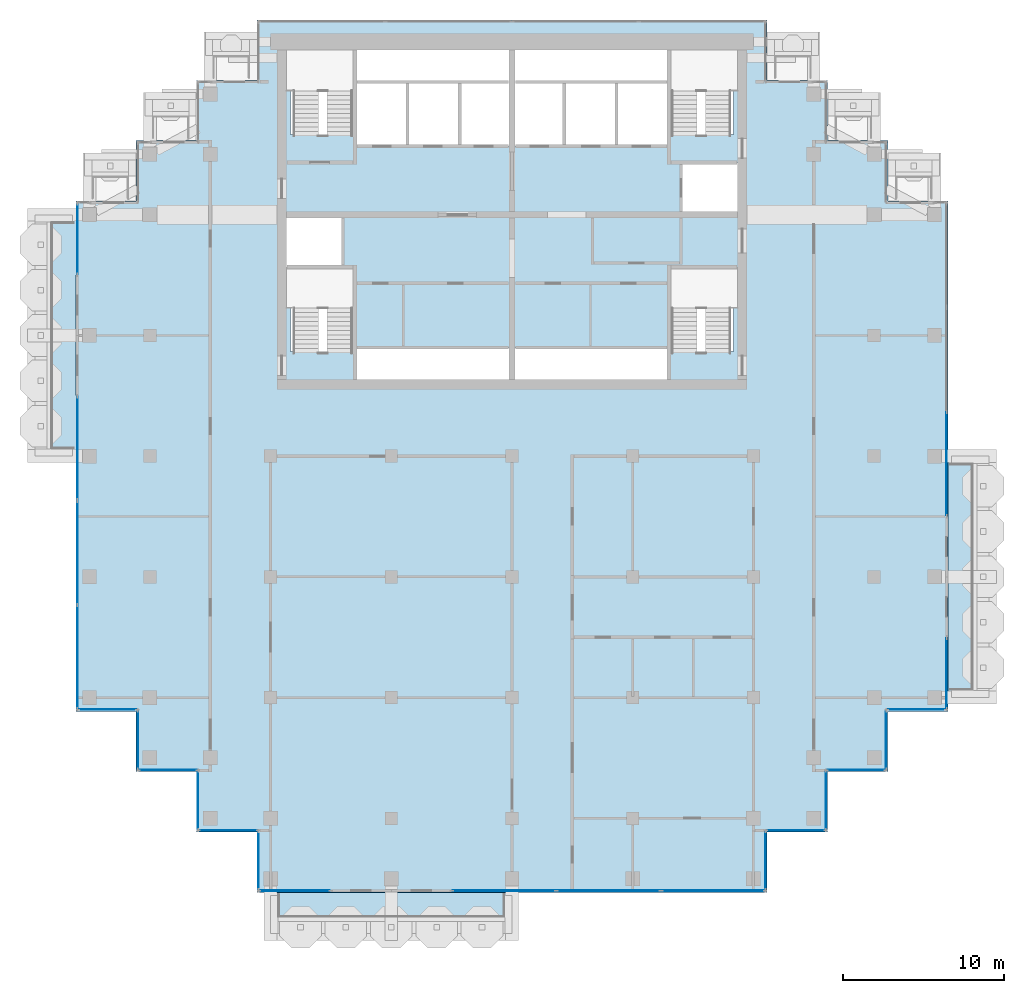
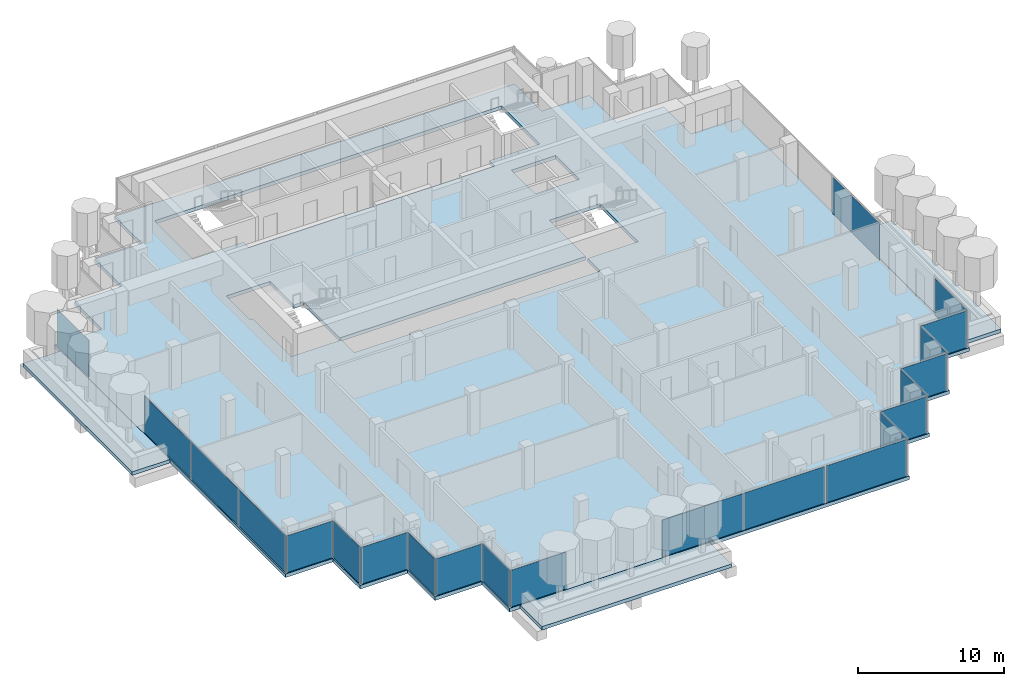
# One storey, part 8 of 18: 22 plates, 4 slabs, 20 elements without a shape of their own.
"""IFC4 building model written with IfcOpenShell, lengths in metres."""

from ifc_helpers import new_model, si_unit, direction, frame, origin, origin_2d, place, context, subcontext, project, spatial, polyline, rectangle, outline, extrude, material, layer, layer_set, type_object, element, aggregate, save


model = new_model("IFC4")

# Units and contexts
model_context = context("Model", 3, precision=1e-05, world=origin(), true_north=direction((0.0, 1.0)))
body_context = subcontext(model_context, "Body", "Model", "MODEL_VIEW")
ifc_project = project(units=[si_unit("LENGTHUNIT", "METRE"), si_unit("AREAUNIT", "SQUARE_METRE"), si_unit("VOLUMEUNIT", "CUBIC_METRE"), si_unit("PLANEANGLEUNIT", "RADIAN"), si_unit("MASSUNIT", "GRAM", prefix="KILO")], contexts=[model_context])

# Site, building, storey
site_placement = place(None, origin())
site = spatial("IfcSite", under=ifc_project, at=site_placement, CompositionType="ELEMENT")
building_placement = place(site_placement, origin())
building = spatial("IfcBuilding", under=site, at=building_placement, Name="Pilkhan Gate Tower", CompositionType="ELEMENT")
storey_placement = place(building_placement, frame((0.0, 0.0, 249.89990234375)))
storey = spatial("IfcBuildingStorey", under=building, at=storey_placement, Name="L65", CompositionType="ELEMENT", Elevation=249.89990234375)

# Slabs
ifc_material_1 = material(Name="Concrete C60/75", Category="concrete")
ifc_layer_1 = layer(ifc_material_1, 0.300048828125)
ifc_layer_set_1 = layer_set([ifc_layer_1], Name="Balcony tray slab TR300")
slab_type_1 = type_object("IfcSlabType", Name="Balcony tray slab TR300", PredefinedType="FLOOR", material=ifc_layer_set_1)
slab_1_placement = place(storey_placement, frame((0.0, 0.0, -0.2998046875)))
element("IfcSlab", 1, at=slab_1_placement, inside=storey, type_object=slab_type_1, Name="Balcony tray L65 S", PredefinedType="FLOOR", context=body_context, shape_type="SweptSolid", body=[
    extrude(outline(polyline([(75.0, 37.39990234375), (75.0, 40.39990234375), (60.0, 40.39990234375), (60.0, 37.39990234375), (75.0, 37.39990234375)])), origin(), (0.0, 0.0, 1.0), 0.2998046875),
])
slab_2_placement = place(storey_placement, frame((0.0, 0.0, -0.2998046875)))
element("IfcSlab", 2, at=slab_2_placement, inside=storey, type_object=slab_type_1, Name="Balcony tray L65 E", PredefinedType="FLOOR", context=body_context, shape_type="SweptSolid", body=[
    extrude(outline(polyline([(105.10009765625, 52.5), (105.10009765625, 67.5), (102.10009765625, 67.5), (102.10009765625, 52.5), (105.10009765625, 52.5)])), origin(), (0.0, 0.0, 1.0), 0.2998046875),
])
slab_3_placement = place(storey_placement, frame((0.0, 0.0, -0.2998046875)))
element("IfcSlab", 3, at=slab_3_placement, inside=storey, type_object=slab_type_1, Name="Balcony tray L65 W", PredefinedType="FLOOR", context=body_context, shape_type="SweptSolid", body=[
    extrude(outline(polyline([(47.89990234375, 67.5), (47.89990234375, 82.5), (44.89990234375, 82.5), (44.89990234375, 67.5), (47.89990234375, 67.5)])), origin(), (0.0, 0.0, 1.0), 0.2998046875),
])
ifc_material_2 = material(Name="Concrete C40/50", Category="concrete")
ifc_layer_2 = layer(ifc_material_2, 0.300048828125)
ifc_layer_set_2 = layer_set([ifc_layer_2], Name="Flat plate slab FP300")
slab_type_2 = type_object("IfcSlabType", Name="Flat plate slab FP300", PredefinedType="FLOOR", material=ifc_layer_set_2)
slab_4_placement = place(storey_placement, frame((0.0, 0.0, -0.2998046875)))
element("IfcSlab", 4, at=slab_4_placement, inside=storey, type_object=slab_type_2, Name="Floor slab L65", PredefinedType="FLOOR", context=body_context, shape_type="SweptSolid", body=[
    extrude(outline(polyline([(98.35009765625, 47.89990234375), (94.60009765625, 47.89990234375), (94.60009765625, 44.14990234375), (90.85009765625, 44.14990234375), (90.85009765625, 40.39990234375), (59.14990234375, 40.39990234375), (59.14990234375, 44.14990234375), (55.39990234375, 44.14990234375), (55.39990234375, 47.89990234375), (51.64990234375, 47.89990234375), (51.64990234375, 51.64990234375), (47.89990234375, 51.64990234375), (47.89990234375, 83.35009765625), (51.64990234375, 83.35009765625), (51.64990234375, 87.10009765625), (55.39990234375, 87.10009765625), (55.39990234375, 90.85009765625), (59.14990234375, 90.85009765625), (59.14990234375, 94.60009765625), (90.85009765625, 94.60009765625), (90.85009765625, 90.85009765625), (94.60009765625, 90.85009765625), (94.60009765625, 87.10009765625), (98.35009765625, 87.10009765625), (98.35009765625, 83.35009765625), (102.10009765625, 83.35009765625), (102.10009765625, 51.64990234375), (98.35009765625, 51.64990234375), (98.35009765625, 47.89990234375)]), holes=[polyline([(75.0, 72.25), (84.75, 72.25), (84.75, 74.0), (88.75, 74.0), (88.75, 79.25), (84.75, 79.25), (84.75, 74.25), (75.0, 74.25), (65.25, 74.25), (65.25, 79.25), (64.5, 79.25), (64.5, 82.5), (61.25, 82.5), (61.0, 82.5), (61.0, 79.25), (61.25, 79.25), (61.25, 74.0), (65.25, 74.0), (65.25, 72.25), (75.0, 72.25)]), polyline([(68.5, 86.75), (71.75, 86.75), (75.0, 86.75), (78.25, 86.75), (81.5, 86.75), (84.75, 86.75), (84.75, 87.5), (88.75, 87.5), (88.75, 92.75), (84.75, 92.75), (75.0, 92.75), (65.25, 92.75), (61.25, 92.75), (61.25, 87.5), (65.25, 87.5), (65.25, 86.75), (68.5, 86.75)]), polyline([(85.5, 85.75), (85.5, 82.5), (88.75, 82.5), (89.0, 82.5), (89.0, 85.75), (88.75, 85.75), (85.5, 85.75)])]), origin(), (0.0, 0.0, 1.0), 0.2998046875),
])

# Curtain wall, plate
ifc_material_3 = material(Name="Pale anodised aluminium, clear low-iron double glazing", Category="aluminium")
curtain_wall_type = type_object("IfcCurtainWallType", Name="Office unitised curtain wall CW-O2", PredefinedType="USERDEFINED", material=ifc_material_3)
curtain_wall_1_placement = place(storey_placement, origin())
curtain_wall_1 = element("IfcCurtainWall", 5, at=curtain_wall_1_placement, inside=storey, type_object=curtain_wall_type, Name="Office unitised curtain wall CW-O2 L65 E", ObjectType="UNITISED CURTAIN WALL", PredefinedType="USERDEFINED")
ifc_material_4 = material(Name="Clear low-iron double glazing", Category="glass")
ifc_layer_3 = layer(ifc_material_4, 0.031982421875)
ifc_layer_set_3 = layer_set([ifc_layer_3], Name="Glass panel CW-O2 32")
plate_type = type_object("IfcPlateType", Name="Glass panel CW-O2 32", PredefinedType="CURTAIN_PANEL", material=ifc_layer_set_3)
plate_1_placement = place(storey_placement, frame((102.0, 54.0, 0.0), z_axis=(0.0, 0.0, 1.0), x_axis=(0.0, 1.0, 0.0)))
plate_1 = element("IfcPlate", 6, at=plate_1_placement, type_object=plate_type, Name="CW-O2 panel 1", PredefinedType="CURTAIN_PANEL", context=body_context, shape_type="SweptSolid", body=[
    extrude(rectangle(XDim=4.3701171875, YDim=0.031982421875, at=origin_2d()), origin(), (0.0, 0.0, 1.0), 3.0849609375),
])
aggregate(curtain_wall_1, [plate_1])

curtain_wall_2_placement = place(storey_placement, origin())
curtain_wall_2 = element("IfcCurtainWall", 7, at=curtain_wall_2_placement, inside=storey, type_object=curtain_wall_type, Name="Office unitised curtain wall CW-O2 L65 E", ObjectType="UNITISED CURTAIN WALL", PredefinedType="USERDEFINED")
plate_2_placement = place(storey_placement, frame((102.0, 67.016357421875, 0.0), z_axis=(0.0, 0.0, 1.0), x_axis=(0.0, 1.0, 0.0)))
plate_2 = element("IfcPlate", 8, at=plate_2_placement, type_object=plate_type, Name="CW-O2 panel 1", PredefinedType="CURTAIN_PANEL", context=body_context, shape_type="SweptSolid", body=[
    extrude(rectangle(XDim=6.402587890625, YDim=0.031982421875, at=origin_2d()), origin(), (0.0, 0.0, 1.0), 3.0849609375),
])
aggregate(curtain_wall_2, [plate_2])

# Curtain wall, plates
curtain_wall_3_placement = place(storey_placement, origin())
curtain_wall_3 = element("IfcCurtainWall", 9, at=curtain_wall_3_placement, inside=storey, type_object=curtain_wall_type, Name="Office unitised curtain wall CW-O2 L65 W", ObjectType="UNITISED CURTAIN WALL", PredefinedType="USERDEFINED")
plate_3_placement = place(storey_placement, frame((48.0, 55.016357421875, 0.0), z_axis=(0.0, 0.0, 1.0), x_axis=(0.0, 1.0, 0.0)))
plate_3 = element("IfcPlate", 10, at=plate_3_placement, type_object=plate_type, Name="CW-O2 panel 1", PredefinedType="CURTAIN_PANEL", context=body_context, shape_type="SweptSolid", body=[
    extrude(rectangle(XDim=6.402587890625, YDim=0.031982421875, at=origin_2d()), origin(), (0.0, 0.0, 1.0), 3.0849609375),
])
plate_4_placement = place(storey_placement, frame((48.0, 61.483642578125, 0.0), z_axis=(0.0, 0.0, 1.0), x_axis=(0.0, 1.0, 0.0)))
plate_4 = element("IfcPlate", 11, at=plate_4_placement, type_object=plate_type, Name="CW-O2 panel 2", PredefinedType="CURTAIN_PANEL", context=body_context, shape_type="SweptSolid", body=[
    extrude(rectangle(XDim=6.402587890625, YDim=0.031982421875, at=origin_2d()), origin(), (0.0, 0.0, 1.0), 3.0849609375),
])
aggregate(curtain_wall_3, [plate_3, plate_4])

# Curtain wall, plate
curtain_wall_4_placement = place(storey_placement, origin())
curtain_wall_4 = element("IfcCurtainWall", 12, at=curtain_wall_4_placement, inside=storey, type_object=curtain_wall_type, Name="Office unitised curtain wall CW-O2 L65 W", ObjectType="UNITISED CURTAIN WALL", PredefinedType="USERDEFINED")
plate_5_placement = place(storey_placement, frame((48.0, 68.0, 0.0), z_axis=(0.0, 0.0, 1.0), x_axis=(0.0, 1.0, 0.0)))
plate_5 = element("IfcPlate", 13, at=plate_5_placement, type_object=plate_type, Name="CW-O2 panel 1", PredefinedType="CURTAIN_PANEL", context=body_context, shape_type="SweptSolid", body=[
    extrude(rectangle(XDim=6.3701171875, YDim=0.031982421875, at=origin_2d()), origin(), (0.0, 0.0, 1.0), 3.0849609375),
])
aggregate(curtain_wall_4, [plate_5])

curtain_wall_5_placement = place(storey_placement, origin())
curtain_wall_5 = element("IfcCurtainWall", 14, at=curtain_wall_5_placement, inside=storey, type_object=curtain_wall_type, Name="Office unitised curtain wall CW-O2 L65 W", ObjectType="UNITISED CURTAIN WALL", PredefinedType="USERDEFINED")
plate_6_placement = place(storey_placement, frame((48.0, 81.0, 0.0), z_axis=(0.0, 0.0, 1.0), x_axis=(0.0, 1.0, 0.0)))
plate_6 = element("IfcPlate", 15, at=plate_6_placement, type_object=plate_type, Name="CW-O2 panel 1", PredefinedType="CURTAIN_PANEL", context=body_context, shape_type="SweptSolid", body=[
    extrude(rectangle(XDim=4.3701171875, YDim=0.031982421875, at=origin_2d()), origin(), (0.0, 0.0, 1.0), 3.0849609375),
])
aggregate(curtain_wall_5, [plate_6])

curtain_wall_6_placement = place(storey_placement, origin())
curtain_wall_6 = element("IfcCurtainWall", 16, at=curtain_wall_6_placement, inside=storey, type_object=curtain_wall_type, Name="Office unitised curtain wall CW-O2 L65 S", ObjectType="UNITISED CURTAIN WALL", PredefinedType="USERDEFINED")
plate_7_placement = place(storey_placement, frame((49.875, 51.75, 0.0), z_axis=(0.0, 0.0, 1.0), x_axis=(1.0, 0.0, 0.0)))
plate_7 = element("IfcPlate", 17, at=plate_7_placement, type_object=plate_type, Name="CW-O2 panel 1", PredefinedType="CURTAIN_PANEL", context=body_context, shape_type="SweptSolid", body=[
    extrude(rectangle(XDim=3.6201171875, YDim=0.031982421875, at=origin_2d()), origin(), (0.0, 0.0, 1.0), 3.0849609375),
])
aggregate(curtain_wall_6, [plate_7])

curtain_wall_7_placement = place(storey_placement, origin())
curtain_wall_7 = element("IfcCurtainWall", 18, at=curtain_wall_7_placement, inside=storey, type_object=curtain_wall_type, Name="Office unitised curtain wall CW-O2 L65 W", ObjectType="UNITISED CURTAIN WALL", PredefinedType="USERDEFINED")
plate_8_placement = place(storey_placement, frame((51.75, 49.875, 0.0), z_axis=(0.0, 0.0, 1.0), x_axis=(0.0, 1.0, 0.0)))
plate_8 = element("IfcPlate", 19, at=plate_8_placement, type_object=plate_type, Name="CW-O2 panel 1", PredefinedType="CURTAIN_PANEL", context=body_context, shape_type="SweptSolid", body=[
    extrude(rectangle(XDim=3.6201171875, YDim=0.031982421875, at=origin_2d()), origin(), (0.0, 0.0, 1.0), 3.0849609375),
])
aggregate(curtain_wall_7, [plate_8])

curtain_wall_8_placement = place(storey_placement, origin())
curtain_wall_8 = element("IfcCurtainWall", 20, at=curtain_wall_8_placement, inside=storey, type_object=curtain_wall_type, Name="Office unitised curtain wall CW-O2 L65 S", ObjectType="UNITISED CURTAIN WALL", PredefinedType="USERDEFINED")
plate_9_placement = place(storey_placement, frame((53.625, 48.0, 0.0), z_axis=(0.0, 0.0, 1.0), x_axis=(1.0, 0.0, 0.0)))
plate_9 = element("IfcPlate", 21, at=plate_9_placement, type_object=plate_type, Name="CW-O2 panel 1", PredefinedType="CURTAIN_PANEL", context=body_context, shape_type="SweptSolid", body=[
    extrude(rectangle(XDim=3.6201171875, YDim=0.031982421875, at=origin_2d()), origin(), (0.0, 0.0, 1.0), 3.0849609375),
])
aggregate(curtain_wall_8, [plate_9])

curtain_wall_9_placement = place(storey_placement, origin())
curtain_wall_9 = element("IfcCurtainWall", 22, at=curtain_wall_9_placement, inside=storey, type_object=curtain_wall_type, Name="Office unitised curtain wall CW-O2 L65 W", ObjectType="UNITISED CURTAIN WALL", PredefinedType="USERDEFINED")
plate_10_placement = place(storey_placement, frame((55.5, 46.125, 0.0), z_axis=(0.0, 0.0, 1.0), x_axis=(0.0, 1.0, 0.0)))
plate_10 = element("IfcPlate", 23, at=plate_10_placement, type_object=plate_type, Name="CW-O2 panel 1", PredefinedType="CURTAIN_PANEL", context=body_context, shape_type="SweptSolid", body=[
    extrude(rectangle(XDim=3.6201171875, YDim=0.031982421875, at=origin_2d()), origin(), (0.0, 0.0, 1.0), 3.0849609375),
])
aggregate(curtain_wall_9, [plate_10])

curtain_wall_10_placement = place(storey_placement, origin())
curtain_wall_10 = element("IfcCurtainWall", 24, at=curtain_wall_10_placement, inside=storey, type_object=curtain_wall_type, Name="Office unitised curtain wall CW-O2 L65 S", ObjectType="UNITISED CURTAIN WALL", PredefinedType="USERDEFINED")
plate_11_placement = place(storey_placement, frame((57.375, 44.25, 0.0), z_axis=(0.0, 0.0, 1.0), x_axis=(1.0, 0.0, 0.0)))
plate_11 = element("IfcPlate", 25, at=plate_11_placement, type_object=plate_type, Name="CW-O2 panel 1", PredefinedType="CURTAIN_PANEL", context=body_context, shape_type="SweptSolid", body=[
    extrude(rectangle(XDim=3.6201171875, YDim=0.031982421875, at=origin_2d()), origin(), (0.0, 0.0, 1.0), 3.0849609375),
])
aggregate(curtain_wall_10, [plate_11])

curtain_wall_11_placement = place(storey_placement, origin())
curtain_wall_11 = element("IfcCurtainWall", 26, at=curtain_wall_11_placement, inside=storey, type_object=curtain_wall_type, Name="Office unitised curtain wall CW-O2 L65 W", ObjectType="UNITISED CURTAIN WALL", PredefinedType="USERDEFINED")
plate_12_placement = place(storey_placement, frame((59.25, 42.375, 0.0), z_axis=(0.0, 0.0, 1.0), x_axis=(0.0, 1.0, 0.0)))
plate_12 = element("IfcPlate", 27, at=plate_12_placement, type_object=plate_type, Name="CW-O2 panel 1", PredefinedType="CURTAIN_PANEL", context=body_context, shape_type="SweptSolid", body=[
    extrude(rectangle(XDim=3.6201171875, YDim=0.031982421875, at=origin_2d()), origin(), (0.0, 0.0, 1.0), 3.0849609375),
])
aggregate(curtain_wall_11, [plate_12])

curtain_wall_12_placement = place(storey_placement, origin())
curtain_wall_12 = element("IfcCurtainWall", 28, at=curtain_wall_12_placement, inside=storey, type_object=curtain_wall_type, Name="Office unitised curtain wall CW-O2 L65 S", ObjectType="UNITISED CURTAIN WALL", PredefinedType="USERDEFINED")
plate_13_placement = place(storey_placement, frame((61.5, 40.5, 0.0), z_axis=(0.0, 0.0, 1.0), x_axis=(1.0, 0.0, 0.0)))
plate_13 = element("IfcPlate", 29, at=plate_13_placement, type_object=plate_type, Name="CW-O2 panel 1", PredefinedType="CURTAIN_PANEL", context=body_context, shape_type="SweptSolid", body=[
    extrude(rectangle(XDim=4.3701171875, YDim=0.031982421875, at=origin_2d()), origin(), (0.0, 0.0, 1.0), 3.0849609375),
])
aggregate(curtain_wall_12, [plate_13])

# Curtain wall, plates
curtain_wall_13_placement = place(storey_placement, origin())
curtain_wall_13 = element("IfcCurtainWall", 30, at=curtain_wall_13_placement, inside=storey, type_object=curtain_wall_type, Name="Office unitised curtain wall CW-O2 L65 S", ObjectType="UNITISED CURTAIN WALL", PredefinedType="USERDEFINED")
plate_14_placement = place(storey_placement, frame((74.516357421875, 40.5, 0.0), z_axis=(0.0, 0.0, 1.0), x_axis=(1.0, 0.0, 0.0)))
plate_14 = element("IfcPlate", 31, at=plate_14_placement, type_object=plate_type, Name="CW-O2 panel 1", PredefinedType="CURTAIN_PANEL", context=body_context, shape_type="SweptSolid", body=[
    extrude(rectangle(XDim=6.402587890625, YDim=0.031982421875, at=origin_2d()), origin(), (0.0, 0.0, 1.0), 3.0849609375),
])
plate_15_placement = place(storey_placement, frame((80.983642578125, 40.5, 0.0), z_axis=(0.0, 0.0, 1.0), x_axis=(1.0, 0.0, 0.0)))
plate_15 = element("IfcPlate", 32, at=plate_15_placement, type_object=plate_type, Name="CW-O2 panel 2", PredefinedType="CURTAIN_PANEL", context=body_context, shape_type="SweptSolid", body=[
    extrude(rectangle(XDim=6.402587890625, YDim=0.031982421875, at=origin_2d()), origin(), (0.0, 0.0, 1.0), 3.0849609375),
])
aggregate(curtain_wall_13, [plate_14, plate_15])

# Curtain wall, plate
curtain_wall_14_placement = place(storey_placement, origin())
curtain_wall_14 = element("IfcCurtainWall", 33, at=curtain_wall_14_placement, inside=storey, type_object=curtain_wall_type, Name="Office unitised curtain wall CW-O2 L65 S", ObjectType="UNITISED CURTAIN WALL", PredefinedType="USERDEFINED")
plate_16_placement = place(storey_placement, frame((87.5, 40.5, 0.0), z_axis=(0.0, 0.0, 1.0), x_axis=(1.0, 0.0, 0.0)))
plate_16 = element("IfcPlate", 34, at=plate_16_placement, type_object=plate_type, Name="CW-O2 panel 1", PredefinedType="CURTAIN_PANEL", context=body_context, shape_type="SweptSolid", body=[
    extrude(rectangle(XDim=6.3701171875, YDim=0.031982421875, at=origin_2d()), origin(), (0.0, 0.0, 1.0), 3.0849609375),
])
aggregate(curtain_wall_14, [plate_16])

curtain_wall_15_placement = place(storey_placement, origin())
curtain_wall_15 = element("IfcCurtainWall", 35, at=curtain_wall_15_placement, inside=storey, type_object=curtain_wall_type, Name="Office unitised curtain wall CW-O2 L65 E", ObjectType="UNITISED CURTAIN WALL", PredefinedType="USERDEFINED")
plate_17_placement = place(storey_placement, frame((90.75, 42.375, 0.0), z_axis=(0.0, 0.0, 1.0), x_axis=(0.0, 1.0, 0.0)))
plate_17 = element("IfcPlate", 36, at=plate_17_placement, type_object=plate_type, Name="CW-O2 panel 1", PredefinedType="CURTAIN_PANEL", context=body_context, shape_type="SweptSolid", body=[
    extrude(rectangle(XDim=3.6201171875, YDim=0.031982421875, at=origin_2d()), origin(), (0.0, 0.0, 1.0), 3.0849609375),
])
aggregate(curtain_wall_15, [plate_17])

curtain_wall_16_placement = place(storey_placement, origin())
curtain_wall_16 = element("IfcCurtainWall", 37, at=curtain_wall_16_placement, inside=storey, type_object=curtain_wall_type, Name="Office unitised curtain wall CW-O2 L65 S", ObjectType="UNITISED CURTAIN WALL", PredefinedType="USERDEFINED")
plate_18_placement = place(storey_placement, frame((92.625, 44.25, 0.0), z_axis=(0.0, 0.0, 1.0), x_axis=(1.0, 0.0, 0.0)))
plate_18 = element("IfcPlate", 38, at=plate_18_placement, type_object=plate_type, Name="CW-O2 panel 1", PredefinedType="CURTAIN_PANEL", context=body_context, shape_type="SweptSolid", body=[
    extrude(rectangle(XDim=3.6201171875, YDim=0.031982421875, at=origin_2d()), origin(), (0.0, 0.0, 1.0), 3.0849609375),
])
aggregate(curtain_wall_16, [plate_18])

curtain_wall_17_placement = place(storey_placement, origin())
curtain_wall_17 = element("IfcCurtainWall", 39, at=curtain_wall_17_placement, inside=storey, type_object=curtain_wall_type, Name="Office unitised curtain wall CW-O2 L65 E", ObjectType="UNITISED CURTAIN WALL", PredefinedType="USERDEFINED")
plate_19_placement = place(storey_placement, frame((94.5, 46.125, 0.0), z_axis=(0.0, 0.0, 1.0), x_axis=(0.0, 1.0, 0.0)))
plate_19 = element("IfcPlate", 40, at=plate_19_placement, type_object=plate_type, Name="CW-O2 panel 1", PredefinedType="CURTAIN_PANEL", context=body_context, shape_type="SweptSolid", body=[
    extrude(rectangle(XDim=3.6201171875, YDim=0.031982421875, at=origin_2d()), origin(), (0.0, 0.0, 1.0), 3.0849609375),
])
aggregate(curtain_wall_17, [plate_19])

curtain_wall_18_placement = place(storey_placement, origin())
curtain_wall_18 = element("IfcCurtainWall", 41, at=curtain_wall_18_placement, inside=storey, type_object=curtain_wall_type, Name="Office unitised curtain wall CW-O2 L65 S", ObjectType="UNITISED CURTAIN WALL", PredefinedType="USERDEFINED")
plate_20_placement = place(storey_placement, frame((96.375, 48.0, 0.0), z_axis=(0.0, 0.0, 1.0), x_axis=(1.0, 0.0, 0.0)))
plate_20 = element("IfcPlate", 42, at=plate_20_placement, type_object=plate_type, Name="CW-O2 panel 1", PredefinedType="CURTAIN_PANEL", context=body_context, shape_type="SweptSolid", body=[
    extrude(rectangle(XDim=3.6201171875, YDim=0.031982421875, at=origin_2d()), origin(), (0.0, 0.0, 1.0), 3.0849609375),
])
aggregate(curtain_wall_18, [plate_20])

curtain_wall_19_placement = place(storey_placement, origin())
curtain_wall_19 = element("IfcCurtainWall", 43, at=curtain_wall_19_placement, inside=storey, type_object=curtain_wall_type, Name="Office unitised curtain wall CW-O2 L65 E", ObjectType="UNITISED CURTAIN WALL", PredefinedType="USERDEFINED")
plate_21_placement = place(storey_placement, frame((98.25, 49.875, 0.0), z_axis=(0.0, 0.0, 1.0), x_axis=(0.0, 1.0, 0.0)))
plate_21 = element("IfcPlate", 44, at=plate_21_placement, type_object=plate_type, Name="CW-O2 panel 1", PredefinedType="CURTAIN_PANEL", context=body_context, shape_type="SweptSolid", body=[
    extrude(rectangle(XDim=3.6201171875, YDim=0.031982421875, at=origin_2d()), origin(), (0.0, 0.0, 1.0), 3.0849609375),
])
aggregate(curtain_wall_19, [plate_21])

curtain_wall_20_placement = place(storey_placement, origin())
curtain_wall_20 = element("IfcCurtainWall", 45, at=curtain_wall_20_placement, inside=storey, type_object=curtain_wall_type, Name="Office unitised curtain wall CW-O2 L65 S", ObjectType="UNITISED CURTAIN WALL", PredefinedType="USERDEFINED")
plate_22_placement = place(storey_placement, frame((100.125, 51.75, 0.0), z_axis=(0.0, 0.0, 1.0), x_axis=(1.0, 0.0, 0.0)))
plate_22 = element("IfcPlate", 46, at=plate_22_placement, type_object=plate_type, Name="CW-O2 panel 1", PredefinedType="CURTAIN_PANEL", context=body_context, shape_type="SweptSolid", body=[
    extrude(rectangle(XDim=3.6201171875, YDim=0.031982421875, at=origin_2d()), origin(), (0.0, 0.0, 1.0), 3.0849609375),
])
aggregate(curtain_wall_20, [plate_22])

save(model, "model.ifc")
